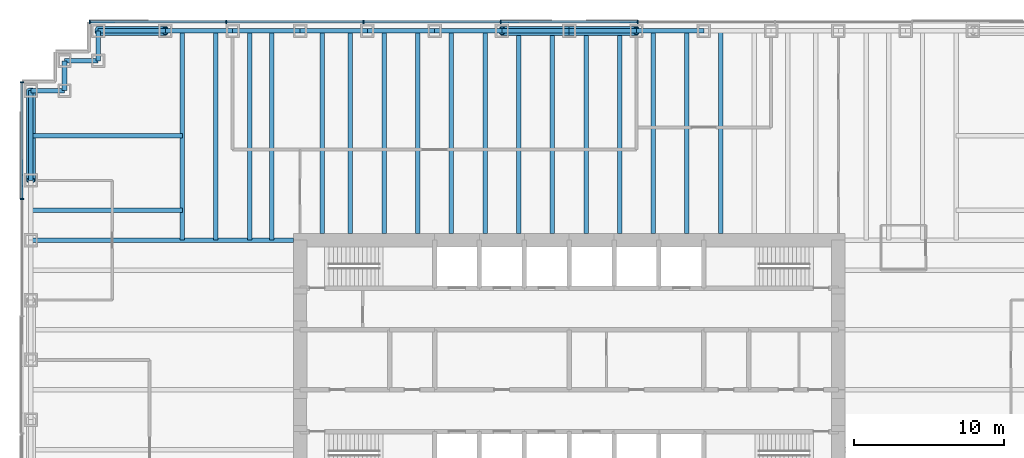
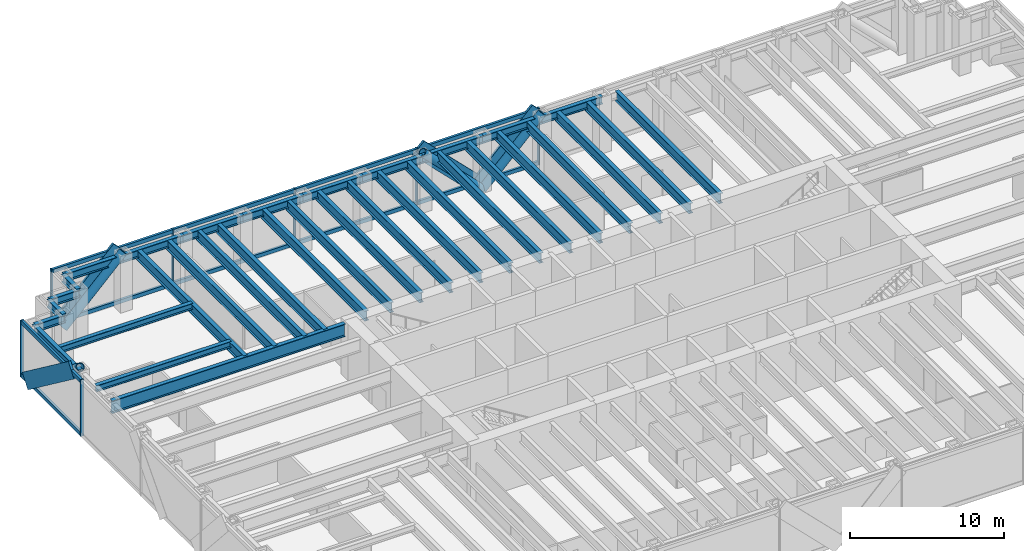
# One storey, part 5 of 13: 34 beams, 25 members, 2 elements without a shape of their own.
"""IFC4 building model written with IfcOpenShell, lengths in metres."""

from ifc_helpers import new_model, si_unit, direction, frame, origin, origin_2d, place, context, subcontext, project, spatial, rectangle, hollow_circle, i_section, extrude, material, material_profile, profile_set, type_object, element, aggregate, save


model = new_model("IFC4")

# Units and contexts
model_context = context("Model", 3, precision=1e-05, world=origin(), true_north=direction((0.0, 1.0)))
body_context = subcontext(model_context, "Body", "Model", "MODEL_VIEW")
ifc_project = project(units=[si_unit("LENGTHUNIT", "METRE"), si_unit("AREAUNIT", "SQUARE_METRE"), si_unit("VOLUMEUNIT", "CUBIC_METRE"), si_unit("PLANEANGLEUNIT", "RADIAN"), si_unit("MASSUNIT", "GRAM", prefix="KILO")], contexts=[model_context])

# Site, building, storey
site_placement = place(None, origin())
site = spatial("IfcSite", under=ifc_project, at=site_placement, CompositionType="ELEMENT")
building_placement = place(site_placement, origin())
building = spatial("IfcBuilding", under=site, at=building_placement, Name="Rheinbord Bourse Tower", CompositionType="ELEMENT")
storey_placement = place(building_placement, frame((0.0, 0.0, 63.5)))
storey = spatial("IfcBuildingStorey", under=building, at=storey_placement, Name="L13", CompositionType="ELEMENT", Elevation=63.5)

# Curtain wall, members
ifc_material_1 = material(Name="Dark glass and black aluminium", Category="aluminium")
curtain_wall_type = type_object("IfcCurtainWallType", Name="CW1 DARK GLASS CURTAIN WALL", PredefinedType="USERDEFINED", material=ifc_material_1)
curtain_wall_1_placement = place(storey_placement, origin())
curtain_wall_1 = element("IfcCurtainWall", 1, at=curtain_wall_1_placement, inside=storey, type_object=curtain_wall_type, Name="Curtain wall CW1 N L13", ObjectType="UNITISED CURTAIN WALL", PredefinedType="USERDEFINED")
ifc_material_2 = material(Name="Black anodised aluminium", Category="aluminium")
ifc_material_profile_1 = material_profile(ifc_material_2, rectangle(XDim=0.179931640625, YDim=1.2099609375, at=origin_2d()), Name="CW1 DIAGONAL MULLION 1210x180")
ifc_profile_set_1 = profile_set([ifc_material_profile_1], Name="Black anodised aluminium")
member_type_1 = type_object("IfcMemberType", Name="CW1 BLACK DIAGONAL MULLION", PredefinedType="USERDEFINED", material=ifc_profile_set_1)
member_1_placement = place(storey_placement, frame((4.5, 46.60009765625, 0.0), z_axis=(0.707106781187, 0.0, 0.707106781187), x_axis=(0.0, 1.0, 0.0)))
member_1 = element("IfcMember", 2, at=member_1_placement, type_object=member_type_1, Name="CW1 diagonal mullion b", ObjectType="DIAGONAL MULLION", PredefinedType="USERDEFINED", context=body_context, shape_type="SweptSolid", body=[
    extrude(rectangle(XDim=0.179931640625, YDim=1.2099609375, at=origin_2d()), origin(), (0.0, 0.0, 1.0), 6.364013671875),
])
member_2_placement = place(storey_placement, frame((36.0, 46.60009765625, 0.0), z_axis=(-0.707106781187, 0.0, 0.707106781187), x_axis=(0.0, -1.0, 0.0)))
member_2 = element("IfcMember", 3, at=member_2_placement, type_object=member_type_1, Name="CW1 diagonal mullion c", ObjectType="DIAGONAL MULLION", PredefinedType="USERDEFINED", context=body_context, shape_type="SweptSolid", body=[
    extrude(rectangle(XDim=0.179931640625, YDim=1.2099609375, at=origin_2d()), origin(), (0.0, 0.0, 1.0), 6.364013671875),
])
member_3_placement = place(storey_placement, frame((36.0, 46.60009765625, 0.0), z_axis=(0.707106781187, 0.0, 0.707106781187), x_axis=(0.0, 1.0, 0.0)))
member_3 = element("IfcMember", 4, at=member_3_placement, type_object=member_type_1, Name="CW1 diagonal mullion d", ObjectType="DIAGONAL MULLION", PredefinedType="USERDEFINED", context=body_context, shape_type="SweptSolid", body=[
    extrude(rectangle(XDim=0.179931640625, YDim=1.2099609375, at=origin_2d()), origin(), (0.0, 0.0, 1.0), 6.364013671875),
])

# Curtain wall, member
curtain_wall_2_placement = place(storey_placement, origin())
curtain_wall_2 = element("IfcCurtainWall", 5, at=curtain_wall_2_placement, inside=storey, type_object=curtain_wall_type, Name="Curtain wall CW1 W L13", ObjectType="UNITISED CURTAIN WALL", PredefinedType="USERDEFINED")
member_4_placement = place(storey_placement, frame((-0.60009765625, 42.0, 0.0), z_axis=(0.0, -0.8, 0.6), x_axis=(1.0, 0.0, 0.0)))
member_4 = element("IfcMember", 6, at=member_4_placement, type_object=member_type_1, Name="CW1 diagonal mullion d", ObjectType="DIAGONAL MULLION", PredefinedType="USERDEFINED", context=body_context, shape_type="SweptSolid", body=[
    extrude(rectangle(XDim=0.179931640625, YDim=1.2099609375, at=origin_2d()), origin(), (0.0, 0.0, 1.0), 7.5),
])

# Member
ifc_material_3 = material(Name="Black anodised aluminium", Category="aluminium")
ifc_material_profile_2 = material_profile(ifc_material_3, rectangle(XDim=0.25, YDim=0.080078125, at=origin_2d()), Name="CW1 MULLION 80x250")
ifc_profile_set_2 = profile_set([ifc_material_profile_2], Name="Black anodised aluminium")
member_type_2 = type_object("IfcMemberType", Name="CW1 BLACK MULLION", PredefinedType="MULLION", material=ifc_profile_set_2)
member_5_placement = place(storey_placement, frame((40.585693359375, 46.60009765625, 0.0), z_axis=(0.0, 0.0, 1.0), x_axis=(0.0, -1.0, 0.0)))
member_5 = element("IfcMember", 7, at=member_5_placement, type_object=member_type_2, Name="CW1 mullion 4", PredefinedType="MULLION", context=body_context, shape_type="SweptSolid", body=[
    extrude(rectangle(XDim=0.25, YDim=0.080078125, at=origin_2d()), origin(), (0.0, 0.0, 1.0), 4.5),
])

member_6_placement = place(storey_placement, frame((31.414306640625, 46.60009765625, 0.0), z_axis=(0.0, 0.0, 1.0), x_axis=(0.0, -1.0, 0.0)))
member_6 = element("IfcMember", 8, at=member_6_placement, type_object=member_type_2, Name="CW1 mullion 5", PredefinedType="MULLION", context=body_context, shape_type="SweptSolid", body=[
    extrude(rectangle(XDim=0.25, YDim=0.080078125, at=origin_2d()), origin(), (0.0, 0.0, 1.0), 4.5),
])

member_7_placement = place(storey_placement, frame((22.242919921875, 46.60009765625, 0.0), z_axis=(0.0, 0.0, 1.0), x_axis=(0.0, -1.0, 0.0)))
member_7 = element("IfcMember", 9, at=member_7_placement, type_object=member_type_2, Name="CW1 mullion 6", PredefinedType="MULLION", context=body_context, shape_type="SweptSolid", body=[
    extrude(rectangle(XDim=0.25, YDim=0.080078125, at=origin_2d()), origin(), (0.0, 0.0, 1.0), 4.5),
])

member_8_placement = place(storey_placement, frame((13.071533203125, 46.60009765625, 0.0), z_axis=(0.0, 0.0, 1.0), x_axis=(0.0, -1.0, 0.0)))
member_8 = element("IfcMember", 10, at=member_8_placement, type_object=member_type_2, Name="CW1 mullion 7", PredefinedType="MULLION", context=body_context, shape_type="SweptSolid", body=[
    extrude(rectangle(XDim=0.25, YDim=0.080078125, at=origin_2d()), origin(), (0.0, 0.0, 1.0), 4.5),
])

member_9_placement = place(storey_placement, frame((3.93994140625, 46.60009765625, 0.0), z_axis=(0.0, 0.0, 1.0), x_axis=(0.0, -1.0, 0.0)))
member_9 = element("IfcMember", 11, at=member_9_placement, type_object=member_type_2, Name="CW1 mullion 8", PredefinedType="MULLION", context=body_context, shape_type="SweptSolid", body=[
    extrude(rectangle(XDim=0.25, YDim=0.080078125, at=origin_2d()), origin(), (0.0, 0.0, 1.0), 4.5),
])

member_10_placement = place(storey_placement, frame((-0.60009765625, 42.56005859375, 0.0), z_axis=(0.0, 0.0, 1.0), x_axis=(1.0, 0.0, 0.0)))
member_10 = element("IfcMember", 12, at=member_10_placement, type_object=member_type_2, Name="CW1 mullion 1", PredefinedType="MULLION", context=body_context, shape_type="SweptSolid", body=[
    extrude(rectangle(XDim=0.25, YDim=0.080078125, at=origin_2d()), origin(), (0.0, 0.0, 1.0), 4.5),
])

member_11_placement = place(storey_placement, frame((-0.60009765625, 34.760009765625, 0.0), z_axis=(0.0, 0.0, 1.0), x_axis=(1.0, 0.0, 0.0)))
member_11 = element("IfcMember", 13, at=member_11_placement, type_object=member_type_2, Name="CW1 mullion 2", PredefinedType="MULLION", context=body_context, shape_type="SweptSolid", body=[
    extrude(rectangle(XDim=0.25, YDim=0.080078125, at=origin_2d()), origin(), (0.0, 0.0, 1.0), 4.5),
])

ifc_material_4 = material(Name="Black anodised aluminium", Category="aluminium")
ifc_material_profile_3 = material_profile(ifc_material_4, rectangle(XDim=0.179931640625, YDim=0.300048828125, at=origin_2d()), Name="CW1 TRANSOM 300x180")
ifc_profile_set_3 = profile_set([ifc_material_profile_3], Name="Black anodised aluminium")
member_type_3 = type_object("IfcMemberType", Name="CW1 BLACK TRANSOM", PredefinedType="USERDEFINED", material=ifc_profile_set_3)
member_12_placement = place(storey_placement, frame((40.545654296875, 46.60009765625, 0.14990234375), z_axis=(-1.0, 0.0, 0.0), x_axis=(0.0, -1.0, 0.0)))
member_12 = element("IfcMember", 14, at=member_12_placement, type_object=member_type_3, Name="CW1 transom 4.1", ObjectType="TRANSOM", PredefinedType="USERDEFINED", context=body_context, shape_type="SweptSolid", body=[
    extrude(rectangle(XDim=0.179931640625, YDim=0.300048828125, at=origin_2d()), origin(), (0.0, 0.0, 1.0), 9.09130859375),
])

member_13_placement = place(storey_placement, frame((40.545654296875, 46.60009765625, 4.35009765625), z_axis=(-1.0, 0.0, 0.0), x_axis=(0.0, -1.0, 0.0)))
member_13 = element("IfcMember", 15, at=member_13_placement, type_object=member_type_3, Name="CW1 transom 4.2", ObjectType="TRANSOM", PredefinedType="USERDEFINED", context=body_context, shape_type="SweptSolid", body=[
    extrude(rectangle(XDim=0.179931640625, YDim=0.300048828125, at=origin_2d()), origin(), (0.0, 0.0, 1.0), 9.09130859375),
])

member_14_placement = place(storey_placement, frame((31.374267578125, 46.60009765625, 0.14990234375), z_axis=(-1.0, 0.0, 0.0), x_axis=(0.0, -1.0, 0.0)))
member_14 = element("IfcMember", 16, at=member_14_placement, type_object=member_type_3, Name="CW1 transom 5.1", ObjectType="TRANSOM", PredefinedType="USERDEFINED", context=body_context, shape_type="SweptSolid", body=[
    extrude(rectangle(XDim=0.179931640625, YDim=0.300048828125, at=origin_2d()), origin(), (0.0, 0.0, 1.0), 9.09130859375),
])

member_15_placement = place(storey_placement, frame((31.374267578125, 46.60009765625, 4.35009765625), z_axis=(-1.0, 0.0, 0.0), x_axis=(0.0, -1.0, 0.0)))
member_15 = element("IfcMember", 17, at=member_15_placement, type_object=member_type_3, Name="CW1 transom 5.2", ObjectType="TRANSOM", PredefinedType="USERDEFINED", context=body_context, shape_type="SweptSolid", body=[
    extrude(rectangle(XDim=0.179931640625, YDim=0.300048828125, at=origin_2d()), origin(), (0.0, 0.0, 1.0), 9.09130859375),
])

member_16_placement = place(storey_placement, frame((22.202880859375, 46.60009765625, 0.14990234375), z_axis=(-1.0, 0.0, 0.0), x_axis=(0.0, -1.0, 0.0)))
member_16 = element("IfcMember", 18, at=member_16_placement, type_object=member_type_3, Name="CW1 transom 6.1", ObjectType="TRANSOM", PredefinedType="USERDEFINED", context=body_context, shape_type="SweptSolid", body=[
    extrude(rectangle(XDim=0.179931640625, YDim=0.300048828125, at=origin_2d()), origin(), (0.0, 0.0, 1.0), 9.091552734375),
])

member_17_placement = place(storey_placement, frame((22.202880859375, 46.60009765625, 4.35009765625), z_axis=(-1.0, 0.0, 0.0), x_axis=(0.0, -1.0, 0.0)))
member_17 = element("IfcMember", 19, at=member_17_placement, type_object=member_type_3, Name="CW1 transom 6.2", ObjectType="TRANSOM", PredefinedType="USERDEFINED", context=body_context, shape_type="SweptSolid", body=[
    extrude(rectangle(XDim=0.179931640625, YDim=0.300048828125, at=origin_2d()), origin(), (0.0, 0.0, 1.0), 9.091552734375),
])

member_18_placement = place(storey_placement, frame((13.031494140625, 46.60009765625, 0.14990234375), z_axis=(-1.0, 0.0, 0.0), x_axis=(0.0, -1.0, 0.0)))
member_18 = element("IfcMember", 20, at=member_18_placement, type_object=member_type_3, Name="CW1 transom 7.1", ObjectType="TRANSOM", PredefinedType="USERDEFINED", context=body_context, shape_type="SweptSolid", body=[
    extrude(rectangle(XDim=0.179931640625, YDim=0.300048828125, at=origin_2d()), origin(), (0.0, 0.0, 1.0), 9.051513671875),
])

member_19_placement = place(storey_placement, frame((13.031494140625, 46.60009765625, 4.35009765625), z_axis=(-1.0, 0.0, 0.0), x_axis=(0.0, -1.0, 0.0)))
member_19 = element("IfcMember", 21, at=member_19_placement, type_object=member_type_3, Name="CW1 transom 7.2", ObjectType="TRANSOM", PredefinedType="USERDEFINED", context=body_context, shape_type="SweptSolid", body=[
    extrude(rectangle(XDim=0.179931640625, YDim=0.300048828125, at=origin_2d()), origin(), (0.0, 0.0, 1.0), 9.051513671875),
])

aggregate(curtain_wall_1, [member_5, member_6, member_7, member_8, member_9, member_12, member_13, member_14, member_15, member_16, member_17, member_18, member_19, member_1, member_2, member_3])

member_20_placement = place(storey_placement, frame((-0.60009765625, 42.52001953125, 0.14990234375), z_axis=(0.0, -1.0, 0.0), x_axis=(1.0, 0.0, 0.0)))
member_20 = element("IfcMember", 22, at=member_20_placement, type_object=member_type_3, Name="CW1 transom 1.1", ObjectType="TRANSOM", PredefinedType="USERDEFINED", context=body_context, shape_type="SweptSolid", body=[
    extrude(rectangle(XDim=0.179931640625, YDim=0.300048828125, at=origin_2d()), origin(), (0.0, 0.0, 1.0), 7.719970703125),
])

member_21_placement = place(storey_placement, frame((-0.60009765625, 42.52001953125, 4.35009765625), z_axis=(0.0, -1.0, 0.0), x_axis=(1.0, 0.0, 0.0)))
member_21 = element("IfcMember", 23, at=member_21_placement, type_object=member_type_3, Name="CW1 transom 1.2", ObjectType="TRANSOM", PredefinedType="USERDEFINED", context=body_context, shape_type="SweptSolid", body=[
    extrude(rectangle(XDim=0.179931640625, YDim=0.300048828125, at=origin_2d()), origin(), (0.0, 0.0, 1.0), 7.719970703125),
])

aggregate(curtain_wall_2, [member_10, member_11, member_20, member_21, member_4])

# Beams
ifc_material_5 = material(Name="Steel S460", Category="steel")
ifc_material_profile_4 = material_profile(ifc_material_5, i_section(OverallWidth=0.300048828125, OverallDepth=0.800048828125, WebThickness=0.017578125, FlangeThickness=0.032958984375, at=origin_2d()), Name="HEB 800")
ifc_profile_set_4 = profile_set([ifc_material_profile_4], Name="Steel S460")
beam_type_1 = type_object("IfcBeamType", Name="FLOOR BEAM HEB 800", PredefinedType="BEAM", material=ifc_profile_set_4)
for number, where, z_axis, x_axis, name in (
    (24, (10.125, 46.0, 3.919921875), (0.0, -1.0, 0.0), (1.0, 0.0, 0.0), "Floor beam N-9a L14"),
    (25, (12.375, 46.0, 3.919921875), (0.0, -1.0, 0.0), (1.0, 0.0, 0.0), "Floor beam N-9b L14"),
    (26, (14.625, 46.0, 3.919921875), (0.0, -1.0, 0.0), (1.0, 0.0, 0.0), "Floor beam N-13.5a L14"),
    (27, (16.125, 46.0, 3.919921875), (0.0, -1.0, 0.0), (1.0, 0.0, 0.0), "Floor beam N-13.5b L14"),
):
    element("IfcBeam", number, at=place(storey_placement, frame(where, z_axis=z_axis, x_axis=x_axis)), inside=storey, type_object=beam_type_1, Name=name, PredefinedType="BEAM", context=body_context, shape_type="SweptSolid", body=[
        extrude(i_section(OverallWidth=0.300048828125, OverallDepth=0.800048828125, WebThickness=0.017578125, FlangeThickness=0.032958984375, at=origin_2d()), origin(), (0.0, 0.0, 1.0), 14.0),
    ])
for number, where, z_axis, x_axis, name in (
    (28, (19.5, 46.0, 3.919921875), (0.0, -1.0, 0.0), (1.0, 0.0, 0.0), "Floor beam N-18a L14"),
    (29, (21.375, 46.0, 3.919921875), (0.0, -1.0, 0.0), (1.0, 0.0, 0.0), "Floor beam N-18b L14"),
    (30, (23.625, 46.0, 3.919921875), (0.0, -1.0, 0.0), (1.0, 0.0, 0.0), "Floor beam N-22.5a L14"),
    (31, (25.875, 46.0, 3.919921875), (0.0, -1.0, 0.0), (1.0, 0.0, 0.0), "Floor beam N-22.5b L14"),
    (32, (28.125, 46.0, 3.919921875), (0.0, -1.0, 0.0), (1.0, 0.0, 0.0), "Floor beam N-27a L14"),
    (33, (30.375, 46.0, 3.919921875), (0.0, -1.0, 0.0), (1.0, 0.0, 0.0), "Floor beam N-27b L14"),
    (34, (32.625, 46.0, 3.919921875), (0.0, -1.0, 0.0), (1.0, 0.0, 0.0), "Floor beam N-31.5a L14"),
    (35, (34.875, 46.0, 3.919921875), (0.0, -1.0, 0.0), (1.0, 0.0, 0.0), "Floor beam N-31.5b L14"),
    (36, (37.125, 46.0, 3.919921875), (0.0, -1.0, 0.0), (1.0, 0.0, 0.0), "Floor beam N-36a L14"),
    (37, (39.375, 46.0, 3.919921875), (0.0, -1.0, 0.0), (1.0, 0.0, 0.0), "Floor beam N-36b L14"),
    (38, (41.625, 46.0, 3.919921875), (0.0, -1.0, 0.0), (1.0, 0.0, 0.0), "Floor beam N-40.5a L14"),
    (39, (43.875, 46.0, 3.919921875), (0.0, -1.0, 0.0), (1.0, 0.0, 0.0), "Floor beam N-40.5b L14"),
    (40, (46.125, 46.0, 3.919921875), (0.0, -1.0, 0.0), (1.0, 0.0, 0.0), "Floor beam N-45a L14"),
):
    element("IfcBeam", number, at=place(storey_placement, frame(where, z_axis=z_axis, x_axis=x_axis)), inside=storey, type_object=beam_type_1, Name=name, PredefinedType="BEAM", context=body_context, shape_type="SweptSolid", body=[
        extrude(i_section(OverallWidth=0.300048828125, OverallDepth=0.800048828125, WebThickness=0.017578125, FlangeThickness=0.032958984375, at=origin_2d()), origin(), (0.0, 0.0, 1.0), 13.550048828125),
    ])
ifc_material_6 = material(Name="Steel S460", Category="steel")
ifc_material_profile_5 = material_profile(ifc_material_6, i_section(OverallWidth=0.302001953125, OverallDepth=1.008056640625, WebThickness=0.02099609375, FlangeThickness=0.0400390625, at=origin_2d()), Name="HEM 1000")
ifc_profile_set_5 = profile_set([ifc_material_profile_5], Name="Steel S460")
beam_type_2 = type_object("IfcBeamType", Name="GIRDER HEM 1000", PredefinedType="BEAM", material=ifc_profile_set_5)
beam_1_placement = place(storey_placement, frame((0.0, 32.0, 3.81591796875), z_axis=(1.0, 0.0, 0.0), x_axis=(0.0, 1.0, 0.0)))
element("IfcBeam", 41, at=beam_1_placement, inside=storey, type_object=beam_type_2, Name="Girder west 32 L14", PredefinedType="BEAM", context=body_context, shape_type="SweptSolid", body=[
    extrude(i_section(OverallWidth=0.302001953125, OverallDepth=1.008056640625, WebThickness=0.02099609375, FlangeThickness=0.0400390625, at=origin_2d()), origin(), (0.0, 0.0, 1.0), 17.550048828125),
])

# Members
ifc_material_7 = material(Name="Steel S460", Category="steel")
ifc_material_profile_6 = material_profile(ifc_material_7, hollow_circle(Radius=0.304931640625, WallThickness=0.050048828125, at=origin_2d()), Name="CHS 610x50")
ifc_profile_set_6 = profile_set([ifc_material_profile_6], Name="Steel S460")
member_type_4 = type_object("IfcMemberType", Name="MEGABRACE CHS 610x50", PredefinedType="BRACE", material=ifc_profile_set_6)
for number, where, z_axis, x_axis, name in (
    (42, (4.5, 46.0, 0.0), (0.707106781187, 0.0, 0.707106781187), (0.0, 1.0, 0.0), "Megabrace N face line b L13"),
    (43, (36.0, 46.0, 0.0), (-0.707106781187, 0.0, 0.707106781187), (0.0, -1.0, 0.0), "Megabrace N face line c L13"),
    (44, (36.0, 46.0, 0.0), (0.707106781187, 0.0, 0.707106781187), (0.0, 1.0, 0.0), "Megabrace N face line d L13"),
):
    element("IfcMember", number, at=place(storey_placement, frame(where, z_axis=z_axis, x_axis=x_axis)), inside=storey, type_object=member_type_4, Name=name, PredefinedType="BRACE", context=body_context, shape_type="SweptSolid", body=[
        extrude(hollow_circle(Radius=0.304931640625, WallThickness=0.050048828125, at=origin_2d()), origin(), (0.0, 0.0, 1.0), 6.364013671875),
    ])
member_22_placement = place(storey_placement, frame((0.0, 42.0, 0.0), z_axis=(0.0, -0.8, 0.6), x_axis=(1.0, 0.0, 0.0)))
element("IfcMember", 45, at=member_22_placement, inside=storey, type_object=member_type_4, Name="Megabrace W face line d L13", PredefinedType="BRACE", context=body_context, shape_type="SweptSolid", body=[
    extrude(hollow_circle(Radius=0.304931640625, WallThickness=0.050048828125, at=origin_2d()), origin(), (0.0, 0.0, 1.0), 7.5),
])

# Beams
ifc_material_8 = material(Name="Steel S460", Category="steel")
ifc_material_profile_7 = material_profile(ifc_material_8, i_section(OverallWidth=0.304931640625, OverallDepth=0.6201171875, WebThickness=0.02099609375, FlangeThickness=0.0400390625, at=origin_2d()), Name="HEM 600")
ifc_profile_set_7 = profile_set([ifc_material_profile_7], Name="Steel S460")
beam_type_3 = type_object("IfcBeamType", Name="SPANDREL HEM 600", PredefinedType="SPANDREL", material=ifc_profile_set_7)
for number, where, z_axis, x_axis, name in (
    (46, (45.0, 46.0, 4.010009765625), (-1.0, 0.0, 0.0), (0.0, -1.0, 0.0), "Spandrel N-45-N-40.5 under L14"),
    (47, (40.5, 46.0, 4.010009765625), (-1.0, 0.0, 0.0), (0.0, -1.0, 0.0), "Spandrel N-40.5-N-36 under L14"),
    (48, (36.0, 46.0, 4.010009765625), (-1.0, 0.0, 0.0), (0.0, -1.0, 0.0), "Spandrel N-36-N-31.5 under L14"),
    (49, (31.5, 46.0, 4.010009765625), (-1.0, 0.0, 0.0), (0.0, -1.0, 0.0), "Spandrel N-31.5-N-27 under L14"),
    (50, (27.0, 46.0, 4.010009765625), (-1.0, 0.0, 0.0), (0.0, -1.0, 0.0), "Spandrel N-27-N-22.5 under L14"),
    (51, (22.5, 46.0, 4.010009765625), (-1.0, 0.0, 0.0), (0.0, -1.0, 0.0), "Spandrel N-22.5-N-18 under L14"),
    (52, (18.0, 46.0, 4.010009765625), (-1.0, 0.0, 0.0), (0.0, -1.0, 0.0), "Spandrel N-18-N-13.5 under L14"),
    (53, (13.5, 46.0, 4.010009765625), (-1.0, 0.0, 0.0), (0.0, -1.0, 0.0), "Spandrel N-13.5-N-9 under L14"),
    (54, (9.0, 46.0, 4.010009765625), (-1.0, 0.0, 0.0), (0.0, -1.0, 0.0), "Spandrel N-9-NW-E under L14"),
):
    element("IfcBeam", number, at=place(storey_placement, frame(where, z_axis=z_axis, x_axis=x_axis)), inside=storey, type_object=beam_type_3, Name=name, PredefinedType="SPANDREL", context=body_context, shape_type="SweptSolid", body=[
        extrude(i_section(OverallWidth=0.304931640625, OverallDepth=0.6201171875, WebThickness=0.02099609375, FlangeThickness=0.0400390625, at=origin_2d()), origin(), (0.0, 0.0, 1.0), 4.5),
    ])
beam_2_placement = place(storey_placement, frame((4.5, 46.0, 4.010009765625), z_axis=(0.0, -1.0, 0.0), x_axis=(1.0, 0.0, 0.0)))
element("IfcBeam", 55, at=beam_2_placement, inside=storey, type_object=beam_type_3, Name="Spandrel NW-E-NW-D under L14", PredefinedType="SPANDREL", context=body_context, shape_type="SweptSolid", body=[
    extrude(i_section(OverallWidth=0.304931640625, OverallDepth=0.6201171875, WebThickness=0.02099609375, FlangeThickness=0.0400390625, at=origin_2d()), origin(), (0.0, 0.0, 1.0), 2.0),
])
beam_3_placement = place(storey_placement, frame((4.5, 44.0, 4.010009765625), z_axis=(-1.0, 0.0, 0.0), x_axis=(0.0, -1.0, 0.0)))
element("IfcBeam", 56, at=beam_3_placement, inside=storey, type_object=beam_type_3, Name="Spandrel NW-D-NW-C under L14", PredefinedType="SPANDREL", context=body_context, shape_type="SweptSolid", body=[
    extrude(i_section(OverallWidth=0.304931640625, OverallDepth=0.6201171875, WebThickness=0.02099609375, FlangeThickness=0.0400390625, at=origin_2d()), origin(), (0.0, 0.0, 1.0), 2.25),
])
beam_4_placement = place(storey_placement, frame((2.25, 44.0, 4.010009765625), z_axis=(0.0, -1.0, 0.0), x_axis=(1.0, 0.0, 0.0)))
element("IfcBeam", 57, at=beam_4_placement, inside=storey, type_object=beam_type_3, Name="Spandrel NW-C-NW-B under L14", PredefinedType="SPANDREL", context=body_context, shape_type="SweptSolid", body=[
    extrude(i_section(OverallWidth=0.304931640625, OverallDepth=0.6201171875, WebThickness=0.02099609375, FlangeThickness=0.0400390625, at=origin_2d()), origin(), (0.0, 0.0, 1.0), 2.0),
])
beam_5_placement = place(storey_placement, frame((2.25, 42.0, 4.010009765625), z_axis=(-1.0, 0.0, 0.0), x_axis=(0.0, -1.0, 0.0)))
element("IfcBeam", 58, at=beam_5_placement, inside=storey, type_object=beam_type_3, Name="Spandrel NW-B-NW-A under L14", PredefinedType="SPANDREL", context=body_context, shape_type="SweptSolid", body=[
    extrude(i_section(OverallWidth=0.304931640625, OverallDepth=0.6201171875, WebThickness=0.02099609375, FlangeThickness=0.0400390625, at=origin_2d()), origin(), (0.0, 0.0, 1.0), 2.25),
])
beam_6_placement = place(storey_placement, frame((0.0, 42.0, 4.010009765625), z_axis=(0.0, -1.0, 0.0), x_axis=(1.0, 0.0, 0.0)))
element("IfcBeam", 59, at=beam_6_placement, inside=storey, type_object=beam_type_3, Name="Spandrel NW-A-W-36 under L14", PredefinedType="SPANDREL", context=body_context, shape_type="SweptSolid", body=[
    extrude(i_section(OverallWidth=0.304931640625, OverallDepth=0.6201171875, WebThickness=0.02099609375, FlangeThickness=0.0400390625, at=origin_2d()), origin(), (0.0, 0.0, 1.0), 6.0),
])
ifc_material_9 = material(Name="Steel S460", Category="steel")
ifc_material_profile_8 = material_profile(ifc_material_9, i_section(OverallWidth=0.300048828125, OverallDepth=0.5, WebThickness=0.014404296875, FlangeThickness=0.028076171875, at=origin_2d()), Name="HEB 500")
ifc_profile_set_8 = profile_set([ifc_material_profile_8], Name="Steel S460")
beam_type_4 = type_object("IfcBeamType", Name="TIE BEAM HEB 500", PredefinedType="JOIST", material=ifc_profile_set_8)
for number, where, z_axis, x_axis, name in (
    (60, (0.0, 34.0, 4.070068359375), (1.0, 0.0, 0.0), (0.0, 1.0, 0.0), "Tie west 34 L14"),
    (61, (0.0, 39.0, 4.070068359375), (1.0, 0.0, 0.0), (0.0, 1.0, 0.0), "Tie west 39 L14"),
):
    element("IfcBeam", number, at=place(storey_placement, frame(where, z_axis=z_axis, x_axis=x_axis)), inside=storey, type_object=beam_type_4, Name=name, PredefinedType="JOIST", context=body_context, shape_type="SweptSolid", body=[
        extrude(i_section(OverallWidth=0.300048828125, OverallDepth=0.5, WebThickness=0.014404296875, FlangeThickness=0.028076171875, at=origin_2d()), origin(), (0.0, 0.0, 1.0), 10.125),
    ])

save(model, "model.ifc")
